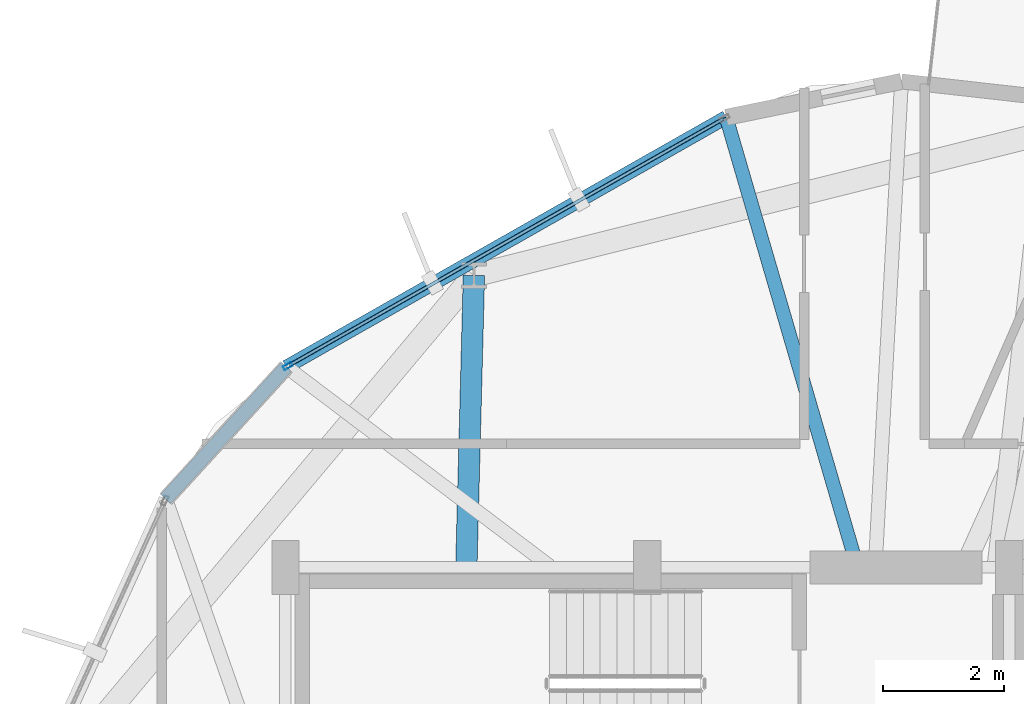
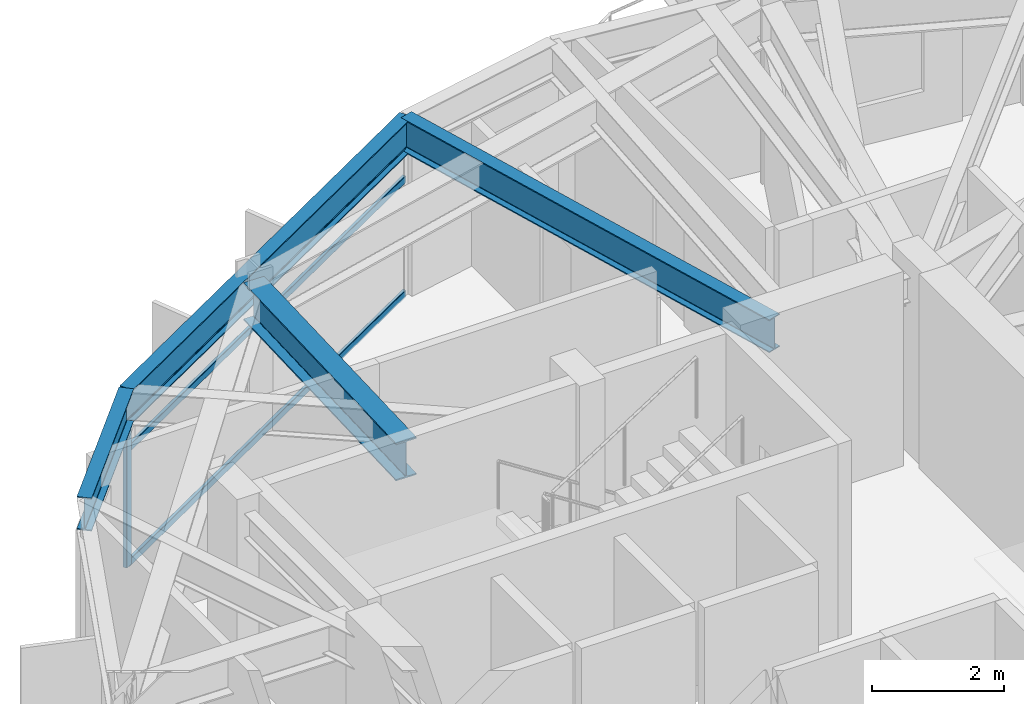
# One storey, part 12 of 22: 4 beams, 4 members, 1 element without a shape of its own.
"""IFC4 building model written with IfcOpenShell, lengths in metres."""

from ifc_helpers import new_model, si_unit, direction, frame, origin, origin_2d, place, context, subcontext, project, spatial, hollow_rectangle, i_section, extrude, material, layer, layer_set, material_profile, profile_set, type_object, element, aggregate, save


model = new_model("IFC4")

# Units and contexts
model_context = context("Model", 3, precision=1e-05, world=origin(), true_north=direction((0.0, 1.0)))
body_context = subcontext(model_context, "Body", "Model", "MODEL_VIEW")
ifc_project = project(units=[si_unit("LENGTHUNIT", "METRE"), si_unit("AREAUNIT", "SQUARE_METRE"), si_unit("VOLUMEUNIT", "CUBIC_METRE"), si_unit("PLANEANGLEUNIT", "RADIAN"), si_unit("MASSUNIT", "GRAM", prefix="KILO")], contexts=[model_context])

# Site, building, storey
site_placement = place(None, origin())
site = spatial("IfcSite", under=ifc_project, at=site_placement, CompositionType="ELEMENT")
building_placement = place(site_placement, origin())
building = spatial("IfcBuilding", under=site, at=building_placement, Name="Soratama Intermodal Tower", CompositionType="ELEMENT")
storey_placement = place(building_placement, frame((0.0, 0.0, 142.60009765625)))
storey = spatial("IfcBuildingStorey", under=building, at=storey_placement, Name="L34", CompositionType="ELEMENT", Elevation=142.60009765625)

# Beams
ifc_material_1 = material(Name="Structural steel ASTM A992 Grade 50", Category="steel")
ifc_material_profile_1 = material_profile(ifc_material_1, i_section(OverallWidth=0.35498046875, OverallDepth=0.695068359375, WebThickness=0.015380859375, FlangeThickness=0.02490234375, FilletRadius=0.01611328125, at=origin_2d()), Name="W27X146")
ifc_profile_set_1 = profile_set([ifc_material_profile_1], Name="Structural steel ASTM A992 Grade 50")
beam_type_1 = type_object("IfcBeamType", Name="BM-RING-W27X146", PredefinedType="BEAM", material=ifc_profile_set_1)
beam_1_placement = place(storey_placement, frame((35.60009765625, 35.0, 2.952392578125), z_axis=(0.026013685955, 0.99966158681, 0.0), x_axis=(-0.99966158681, 0.026013685955, 0.0)))
element("IfcBeam", 1, at=beam_1_placement, inside=storey, type_object=beam_type_1, Name="BM-L34-RAD-04", PredefinedType="BEAM", context=body_context, shape_type="SweptSolid", body=[
    extrude(i_section(OverallWidth=0.35498046875, OverallDepth=0.695068359375, WebThickness=0.015380859375, FlangeThickness=0.02490234375, FilletRadius=0.01611328125, at=origin_2d()), origin(), (0.0, 0.0, 1.0), 4.8427734375),
])
ifc_material_2 = material(Name="Structural steel ASTM A992 Grade 50", Category="steel")
ifc_material_profile_2 = material_profile(ifc_material_2, i_section(OverallWidth=0.22900390625, OverallDepth=0.612060546875, WebThickness=0.011962890625, FlangeThickness=0.01953125, FilletRadius=0.012939453125, at=origin_2d()), Name="W24X84")
ifc_profile_set_2 = profile_set([ifc_material_profile_2], Name="Structural steel ASTM A992 Grade 50")
beam_type_2 = type_object("IfcBeamType", Name="BM-SPN-W24X84", PredefinedType="SPANDREL", material=ifc_profile_set_2)
beam_2_placement = place(storey_placement, frame((39.907958984375, 42.462890625, 2.993896484375), z_axis=(-0.86969638927, -0.493587064752, 0.0), x_axis=(0.493587064752, -0.86969638927, 0.0)))
element("IfcBeam", 2, at=beam_2_placement, inside=storey, type_object=beam_type_2, Name="BS-L34-F03", PredefinedType="SPANDREL", context=body_context, shape_type="SweptSolid", body=[
    extrude(i_section(OverallWidth=0.22900390625, OverallDepth=0.612060546875, WebThickness=0.011962890625, FlangeThickness=0.01953125, FilletRadius=0.012939453125, at=origin_2d()), origin(), (0.0, 0.0, 1.0), 8.38330078125),
])
beam_3_placement = place(storey_placement, frame((32.616943359375, 38.324951171875, 2.993896484375), z_axis=(-0.674538621486, -0.738239560118, 0.0), x_axis=(0.738239560118, -0.674538621486, 0.0)))
element("IfcBeam", 3, at=beam_3_placement, inside=storey, type_object=beam_type_2, Name="BS-L34-CRN03", PredefinedType="SPANDREL", context=body_context, shape_type="SweptSolid", body=[
    extrude(i_section(OverallWidth=0.22900390625, OverallDepth=0.612060546875, WebThickness=0.011962890625, FlangeThickness=0.01953125, FilletRadius=0.012939453125, at=origin_2d()), origin(), (0.0, 0.0, 1.0), 2.966552734375),
])
ifc_material_3 = material(Name="Structural steel ASTM A992 Grade 50", Category="steel")
ifc_material_profile_3 = material_profile(ifc_material_3, i_section(OverallWidth=0.22900390625, OverallDepth=0.612060546875, WebThickness=0.011962890625, FlangeThickness=0.01953125, FilletRadius=0.012939453125, at=origin_2d()), Name="W24X84")
ifc_profile_set_3 = profile_set([ifc_material_profile_3], Name="Structural steel ASTM A992 Grade 50")
beam_type_3 = type_object("IfcBeamType", Name="BM-TIE-W24X84", PredefinedType="BEAM", material=ifc_profile_set_3)
beam_4_placement = place(storey_placement, frame((42.072998046875, 35.0380859375, 2.993896484375), z_axis=(-0.279936966228, 0.960018382605, 0.0), x_axis=(-0.960018382605, -0.279936966228, 0.0)))
element("IfcBeam", 4, at=beam_4_placement, inside=storey, type_object=beam_type_3, Name="BM-L34-TIE0-03", PredefinedType="BEAM", context=body_context, shape_type="SweptSolid", body=[
    extrude(i_section(OverallWidth=0.22900390625, OverallDepth=0.612060546875, WebThickness=0.011962890625, FlangeThickness=0.01953125, FilletRadius=0.012939453125, at=origin_2d()), origin(), (0.0, 0.0, 1.0), 7.734130859375),
])

# Curtain wall, members
ifc_material_4 = material(Name="Double-glazed aluminium curtain wall", Category="aluminium")
ifc_layer = layer(ifc_material_4, 0.159912109375)
ifc_layer_set = layer_set([ifc_layer], Name="Double-glazed aluminium curtain wall")
curtain_wall_type = type_object("IfcCurtainWallType", Name="CW-SYS-4", PredefinedType="NOTDEFINED", material=ifc_layer_set)
curtain_wall_placement = place(storey_placement, origin())
curtain_wall = element("IfcCurtainWall", 5, at=curtain_wall_placement, inside=storey, type_object=curtain_wall_type, Name="L34 Faceted Curtain Wall F03", PredefinedType="NOTDEFINED")
ifc_material_5 = material(Name="Anodised aluminium AA 6063-T6", Category="aluminium")
ifc_material_profile_4 = material_profile(ifc_material_5, hollow_rectangle(XDim=0.070068359375, YDim=0.159912109375, WallThickness=0.0048828125, InnerFilletRadius=0.0048828125, OuterFilletRadius=0.010009765625, at=origin_2d()), Name="CWM160X70X5")
ifc_profile_set_4 = profile_set([ifc_material_profile_4], Name="Anodised aluminium AA 6063-T6")
member_type_1 = type_object("IfcMemberType", Name="MT-CWM-4", PredefinedType="MULLION", material=ifc_profile_set_4)
member_1_placement = place(storey_placement, frame((32.642822265625, 38.33935546875, 0.0), z_axis=(0.0, 0.0, 1.0), x_axis=(0.493639656351, -0.869666539357, 0.0)))
member_1 = element("IfcMember", 6, at=member_1_placement, type_object=member_type_1, Name="CW-4 mullion 2", PredefinedType="MULLION", context=body_context, shape_type="SweptSolid", body=[
    extrude(hollow_rectangle(XDim=0.070068359375, YDim=0.159912109375, WallThickness=0.0048828125, InnerFilletRadius=0.0048828125, OuterFilletRadius=0.010009765625, at=origin_2d()), origin(), (0.0, 0.0, 1.0), 2.678955078125),
])
ifc_material_6 = material(Name="Anodised aluminium AA 6063-T6", Category="aluminium")
ifc_material_profile_5 = material_profile(ifc_material_6, hollow_rectangle(XDim=0.06005859375, YDim=0.1298828125, WallThickness=0.0048828125, InnerFilletRadius=0.0048828125, OuterFilletRadius=0.010009765625, at=origin_2d()), Name="CWT130X60X5")
ifc_profile_set_5 = profile_set([ifc_material_profile_5], Name="Anodised aluminium AA 6063-T6")
member_type_2 = type_object("IfcMemberType", Name="TT-CWT-2", PredefinedType="USERDEFINED", material=ifc_profile_set_5)
member_2_placement = place(storey_placement, frame((39.85546875, 42.433349609375, 0.02978515625), z_axis=(-0.869672203636, -0.49362967721, 0.0), x_axis=(0.49362967721, -0.869672203636, 0.0)))
member_2 = element("IfcMember", 7, at=member_2_placement, type_object=member_type_2, Name="CW-4 transom 1.1", ObjectType="TRANSOM", PredefinedType="USERDEFINED", context=body_context, shape_type="SweptSolid", body=[
    extrude(hollow_rectangle(XDim=0.06005859375, YDim=0.1298828125, WallThickness=0.0048828125, InnerFilletRadius=0.0048828125, OuterFilletRadius=0.010009765625, at=origin_2d()), origin(), (0.0, 0.0, 1.0), 8.263427734375),
])
member_3_placement = place(storey_placement, frame((39.85546875, 42.433349609375, 2.14990234375), z_axis=(-0.869672203636, -0.49362967721, 0.0), x_axis=(0.49362967721, -0.869672203636, 0.0)))
member_3 = element("IfcMember", 8, at=member_3_placement, type_object=member_type_2, Name="CW-4 transom 1.2", ObjectType="TRANSOM", PredefinedType="USERDEFINED", context=body_context, shape_type="SweptSolid", body=[
    extrude(hollow_rectangle(XDim=0.06005859375, YDim=0.1298828125, WallThickness=0.0048828125, InnerFilletRadius=0.0048828125, OuterFilletRadius=0.010009765625, at=origin_2d()), origin(), (0.0, 0.0, 1.0), 8.263427734375),
])
member_4_placement = place(storey_placement, frame((39.85546875, 42.433349609375, 2.64892578125), z_axis=(-0.869672203636, -0.49362967721, 0.0), x_axis=(0.49362967721, -0.869672203636, 0.0)))
member_4 = element("IfcMember", 9, at=member_4_placement, type_object=member_type_2, Name="CW-4 transom 1.3", ObjectType="TRANSOM", PredefinedType="USERDEFINED", context=body_context, shape_type="SweptSolid", body=[
    extrude(hollow_rectangle(XDim=0.06005859375, YDim=0.1298828125, WallThickness=0.0048828125, InnerFilletRadius=0.0048828125, OuterFilletRadius=0.010009765625, at=origin_2d()), origin(), (0.0, 0.0, 1.0), 8.263427734375),
])
aggregate(curtain_wall, [member_1, member_2, member_3, member_4])

save(model, "model.ifc")
